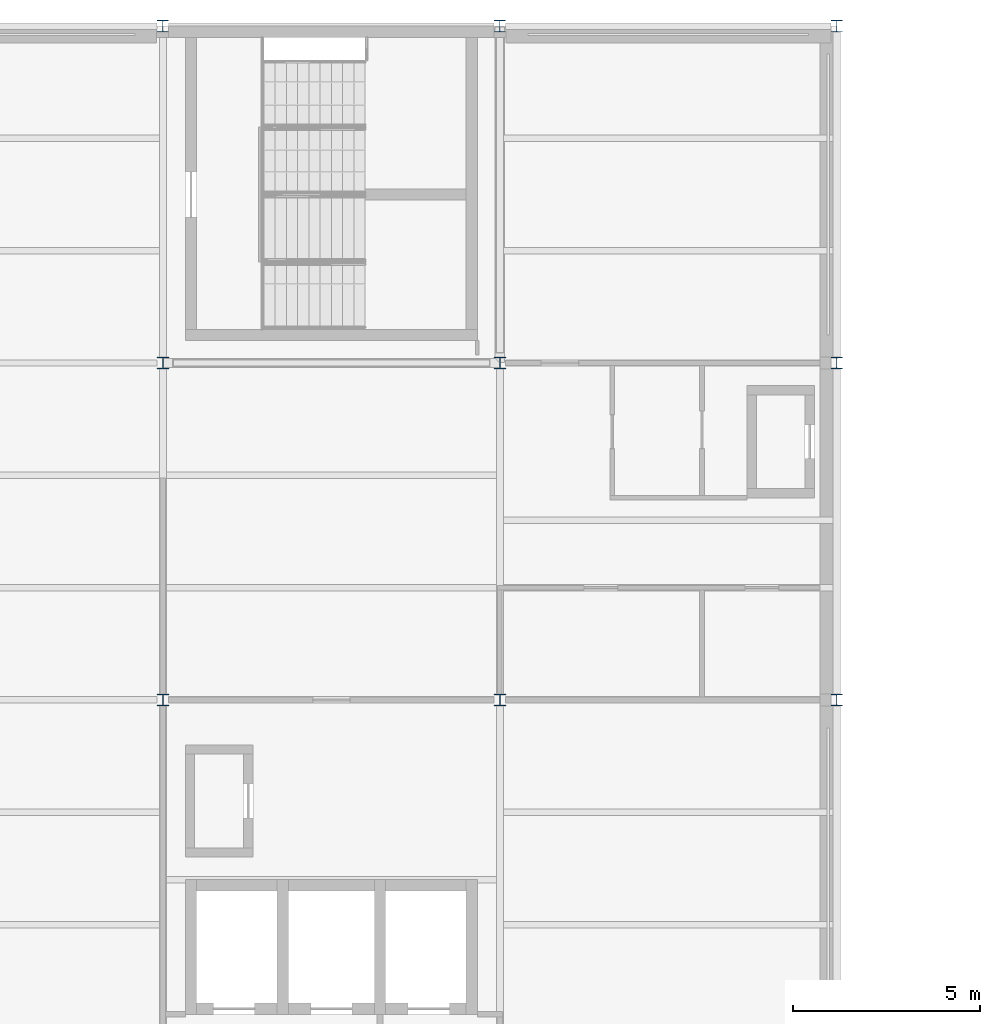
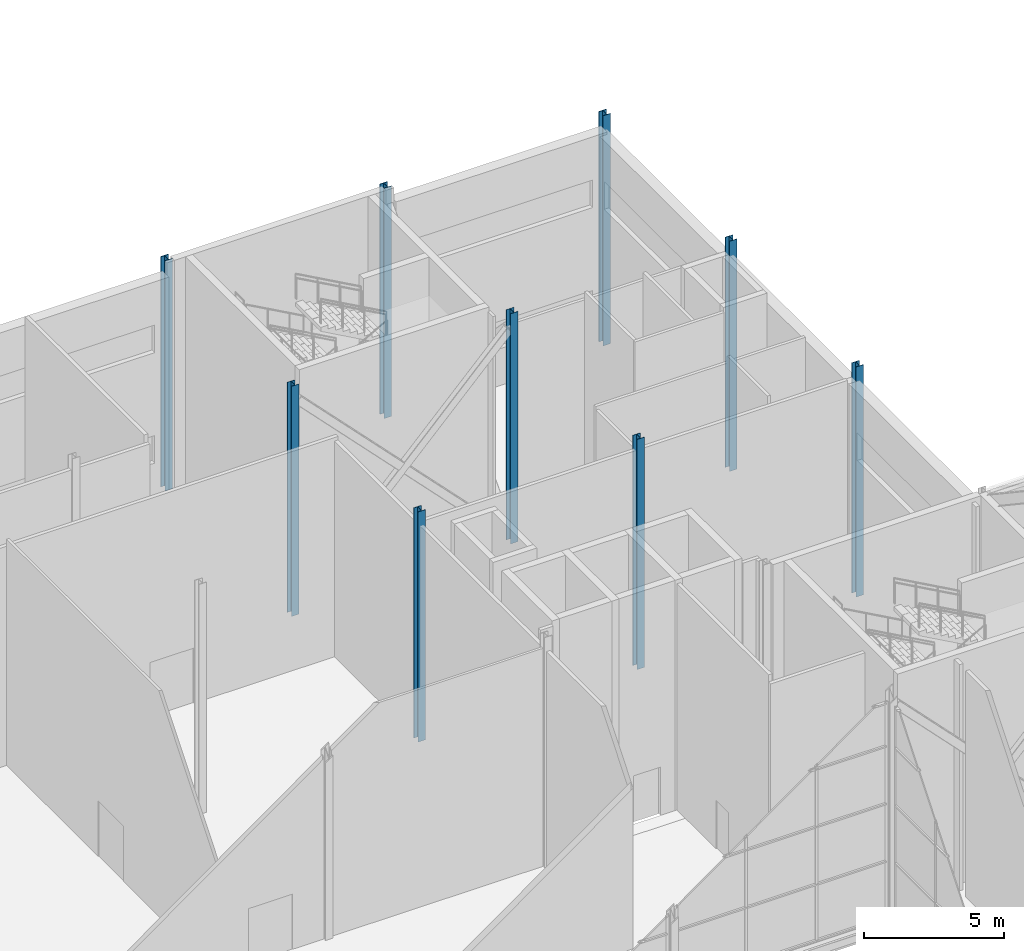
# One storey, part 10 of 111: 9 columns.
"""IFC4 building model written with IfcOpenShell, lengths in metres."""

from ifc_helpers import new_model, si_unit, direction, frame, origin, origin_2d, place, context, subcontext, project, spatial, i_section, extrude, material, material_profile, profile_set, type_object, element, save


model = new_model("IFC4")

# Units and contexts
model_context = context("Model", 3, precision=1e-05, world=origin(), true_north=direction((0.0, 1.0)))
body_context = subcontext(model_context, "Body", "Model", "MODEL_VIEW")
ifc_project = project(units=[si_unit("LENGTHUNIT", "METRE"), si_unit("AREAUNIT", "SQUARE_METRE"), si_unit("VOLUMEUNIT", "CUBIC_METRE"), si_unit("PLANEANGLEUNIT", "RADIAN"), si_unit("MASSUNIT", "GRAM", prefix="KILO")], contexts=[model_context])

# Site, building, storey
site_placement = place(None, origin())
site = spatial("IfcSite", under=ifc_project, at=site_placement, CompositionType="ELEMENT")
building_placement = place(site_placement, origin())
building = spatial("IfcBuilding", under=site, at=building_placement, Name="Shorebreak Coast Museum", CompositionType="ELEMENT")
storey_placement = place(building_placement, frame((0.0, 0.0, 16.0)))
storey = spatial("IfcBuildingStorey", under=building, at=storey_placement, Name="L03", CompositionType="ELEMENT", Elevation=16.0)

# Columns
ifc_material_1 = material(Name="Steel Grade 300", Category="steel")
ifc_material_profile_1 = material_profile(ifc_material_1, i_section(OverallWidth=0.31103515625, OverallDepth=0.3271484375, WebThickness=0.015625, FlangeThickness=0.02490234375, FilletRadius=0.0166015625, at=origin_2d()), Name="310UC158")
ifc_profile_set_1 = profile_set([ifc_material_profile_1], Name="Steel Grade 300")
column_type_1 = type_object("IfcColumnType", Name="Column 310UC158", PredefinedType="COLUMN", material=ifc_profile_set_1)
for number, where, z_axis, x_axis, name in (
    (1, (99.0, 117.0, 0.0), (0.0, 0.0, 1.0), (1.0, 0.0, 0.0), "Column L03 12P"),
    (2, (108.0, 117.0, 0.0), (0.0, 0.0, 1.0), (1.0, 0.0, 0.0), "Column L03 13P"),
    (3, (117.0, 117.0, 0.0), (0.0, 0.0, 1.0), (1.0, 0.0, 0.0), "Column L03 14P"),
):
    element("IfcColumn", number, at=place(storey_placement, frame(where, z_axis=z_axis, x_axis=x_axis)), inside=storey, type_object=column_type_1, Name=name, PredefinedType="COLUMN", context=body_context, shape_type="SweptSolid", body=[
        extrude(i_section(OverallWidth=0.31103515625, OverallDepth=0.3271484375, WebThickness=0.015625, FlangeThickness=0.02490234375, FilletRadius=0.0166015625, at=origin_2d()), origin(), (0.0, 0.0, 1.0), 10.0),
    ])
ifc_material_2 = material(Name="Steel Grade 300", Category="steel")
ifc_material_profile_2 = material_profile(ifc_material_2, i_section(OverallWidth=0.304931640625, OverallDepth=0.30810546875, WebThickness=0.010009765625, FlangeThickness=0.015380859375, FilletRadius=0.0166015625, at=origin_2d()), Name="310UC96.8")
ifc_profile_set_2 = profile_set([ifc_material_profile_2], Name="Steel Grade 300")
column_type_2 = type_object("IfcColumnType", Name="Column 310UC96.8", PredefinedType="COLUMN", material=ifc_profile_set_2)
for number, where, z_axis, x_axis, name in (
    (4, (99.0, 99.0, 0.0), (0.0, 0.0, 1.0), (1.0, 0.0, 0.0), "Column L03 12M"),
    (5, (108.0, 99.0, 0.0), (0.0, 0.0, 1.0), (1.0, 0.0, 0.0), "Column L03 13M"),
    (6, (117.0, 99.0, 0.0), (0.0, 0.0, 1.0), (1.0, 0.0, 0.0), "Column L03 14M"),
    (7, (99.0, 108.0, 0.0), (0.0, 0.0, 1.0), (1.0, 0.0, 0.0), "Column L03 12N"),
    (8, (108.0, 108.0, 0.0), (0.0, 0.0, 1.0), (1.0, 0.0, 0.0), "Column L03 13N"),
    (9, (117.0, 108.0, 0.0), (0.0, 0.0, 1.0), (1.0, 0.0, 0.0), "Column L03 14N"),
):
    element("IfcColumn", number, at=place(storey_placement, frame(where, z_axis=z_axis, x_axis=x_axis)), inside=storey, type_object=column_type_2, Name=name, PredefinedType="COLUMN", context=body_context, shape_type="SweptSolid", body=[
        extrude(i_section(OverallWidth=0.304931640625, OverallDepth=0.30810546875, WebThickness=0.010009765625, FlangeThickness=0.015380859375, FilletRadius=0.0166015625, at=origin_2d()), origin(), (0.0, 0.0, 1.0), 10.0),
    ])

save(model, "model.ifc")
